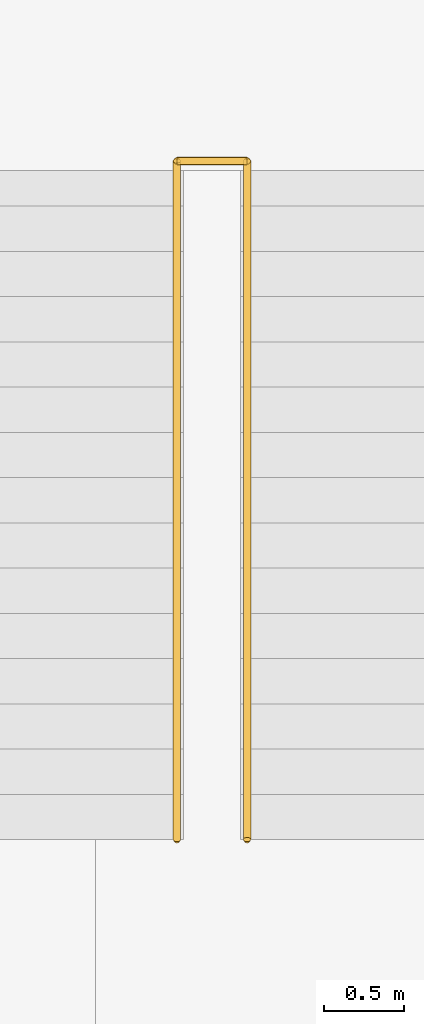
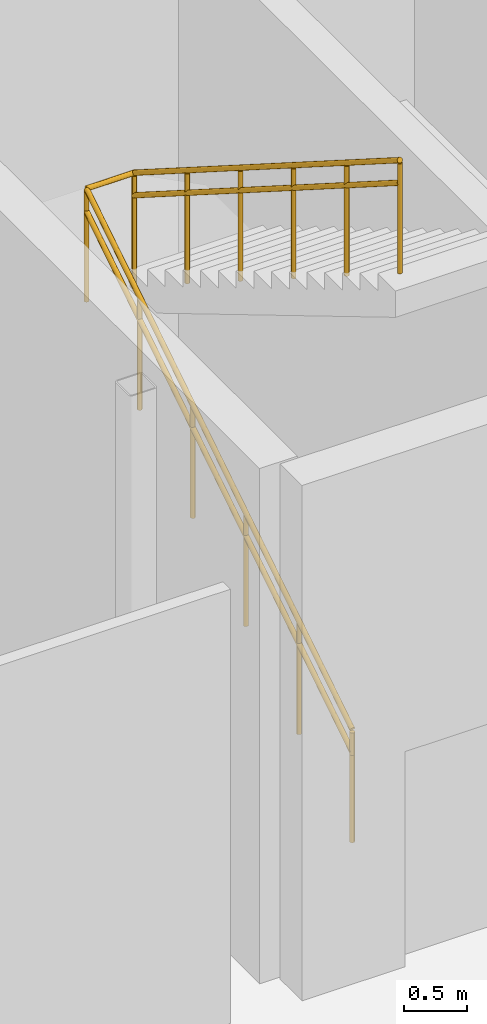
# One storey, part 32 of 33: 5 railings.
"""IFC4 building model written with IfcOpenShell, lengths in metres."""

from ifc_helpers import new_model, si_unit, direction, frame, origin, origin_2d, place, context, subcontext, project, spatial, circle, extrude, material, type_object, element, save


model = new_model("IFC4")

# Units and contexts
model_context = context("Model", 3, precision=1e-05, world=origin(), true_north=direction((0.0, 1.0)))
body_context = subcontext(model_context, "Body", "Model", "MODEL_VIEW")
ifc_project = project(units=[si_unit("LENGTHUNIT", "METRE"), si_unit("AREAUNIT", "SQUARE_METRE"), si_unit("VOLUMEUNIT", "CUBIC_METRE"), si_unit("PLANEANGLEUNIT", "RADIAN"), si_unit("MASSUNIT", "GRAM", prefix="KILO")], contexts=[model_context])

# Site, building, storey
site_placement = place(None, origin())
site = spatial("IfcSite", under=ifc_project, at=site_placement, CompositionType="ELEMENT")
building_placement = place(site_placement, origin())
building = spatial("IfcBuilding", under=site, at=building_placement, Name="Brisemont Oceanarium", CompositionType="ELEMENT")
storey_placement = place(building_placement, frame((0.0, 0.0, -5.39990234375)))
storey = spatial("IfcBuildingStorey", under=building, at=storey_placement, Name="B01", CompositionType="ELEMENT", Elevation=-5.39990234375)

# Railings
ifc_material_1 = material(Name="Duplex Stainless Steel EN 1.4462", Category="steel")
railing_type_1 = type_object("IfcRailingType", Name="RLG-GUARD-1120", PredefinedType="GUARDRAIL", material=ifc_material_1)
railing_1_placement = place(storey_placement, frame((97.909912109375, 71.85009765625, 0.0)))
element("IfcRailing", 1, at=railing_1_placement, inside=storey, type_object=railing_type_1, Name="ST-02 B01 F1 well guard", PredefinedType="GUARDRAIL", context=body_context, shape_type="SweptSolid", body=[
    extrude(circle(Radius=0.02392578125, at=origin_2d()), frame((0.0, 0.0, 1.09619140625), z_axis=(0.0, 0.84407452441, 0.536225882666), x_axis=(-1.0, 0.0, 0.0)), (0.0, 0.0, 1.0), 5.03515625),
    extrude(circle(Radius=0.02099609375, at=origin_2d()), origin(), (0.0, 0.0, 1.0), 1.072021484375),
    extrude(circle(Radius=0.02099609375, at=origin_2d()), frame((0.0, 0.85009765625, 0.5400390625)), (0.0, 0.0, 1.0), 1.072021484375),
    extrude(circle(Radius=0.02099609375, at=origin_2d()), frame((0.0, 1.699951171875, 1.080078125)), (0.0, 0.0, 1.0), 1.072021484375),
    extrude(circle(Radius=0.02099609375, at=origin_2d()), frame((0.0, 2.550048828125, 1.619873046875)), (0.0, 0.0, 1.0), 1.072021484375),
    extrude(circle(Radius=0.02099609375, at=origin_2d()), frame((0.0, 3.39990234375, 2.159912109375)), (0.0, 0.0, 1.0), 1.072021484375),
    extrude(circle(Radius=0.02099609375, at=origin_2d()), frame((0.0, 4.25, 2.699951171875)), (0.0, 0.0, 1.0), 1.072021484375),
])
railing_2_placement = place(storey_placement, frame((98.35009765625, 76.10009765625, 2.699951171875)))
element("IfcRailing", 2, at=railing_2_placement, inside=storey, type_object=railing_type_1, Name="ST-02 B01 F2 well guard", PredefinedType="GUARDRAIL", context=body_context, shape_type="SweptSolid", body=[
    extrude(circle(Radius=0.02392578125, at=origin_2d()), frame((0.0, 0.0, 1.09619140625), z_axis=(0.0, -0.84407452441, 0.536225882666), x_axis=(1.0, 0.0, 0.0)), (0.0, 0.0, 1.0), 5.03515625),
    extrude(circle(Radius=0.02099609375, at=origin_2d()), origin(), (0.0, 0.0, 1.0), 1.072021484375),
    extrude(circle(Radius=0.02099609375, at=origin_2d()), frame((0.0, -0.85009765625, 0.5400390625)), (0.0, 0.0, 1.0), 1.072021484375),
    extrude(circle(Radius=0.02099609375, at=origin_2d()), frame((0.0, -1.699951171875, 1.080078125)), (0.0, 0.0, 1.0), 1.072021484375),
    extrude(circle(Radius=0.02099609375, at=origin_2d()), frame((0.0, -2.550048828125, 1.619873046875)), (0.0, 0.0, 1.0), 1.072021484375),
    extrude(circle(Radius=0.02099609375, at=origin_2d()), frame((0.0, -3.39990234375, 2.159912109375)), (0.0, 0.0, 1.0), 1.072021484375),
    extrude(circle(Radius=0.02099609375, at=origin_2d()), frame((0.0, -4.25, 2.699951171875)), (0.0, 0.0, 1.0), 1.072021484375),
])
railing_3_placement = place(storey_placement, frame((97.909912109375, 76.10009765625, 2.699951171875)))
element("IfcRailing", 3, at=railing_3_placement, inside=storey, type_object=railing_type_1, Name="ST-02 B01 landing slot guard", PredefinedType="GUARDRAIL", context=body_context, shape_type="SweptSolid", body=[
    extrude(circle(Radius=0.02392578125, at=origin_2d()), frame((0.0, 0.0, 1.09619140625), z_axis=(1.0, 0.0, 0.0), x_axis=(0.0, 1.0, 0.0)), (0.0, 0.0, 1.0), 0.440185546875),
    extrude(circle(Radius=0.02099609375, at=origin_2d()), origin(), (0.0, 0.0, 1.0), 1.072021484375),
    extrude(circle(Radius=0.02099609375, at=origin_2d()), frame((0.440185546875, 0.0, 0.0)), (0.0, 0.0, 1.0), 1.072021484375),
])
ifc_material_2 = material(Name="Duplex Stainless Steel EN 1.4462", Category="steel")
railing_type_2 = type_object("IfcRailingType", Name="RLG-HAND-900", PredefinedType="HANDRAIL", material=ifc_material_2)
railing_4_placement = place(storey_placement, frame((97.909912109375, 71.85009765625, 0.0)))
element("IfcRailing", 4, at=railing_4_placement, inside=storey, type_object=railing_type_2, Name="ST-02 B01 F1 handrail", PredefinedType="HANDRAIL", context=body_context, shape_type="SweptSolid", body=[
    extrude(circle(Radius=0.02392578125, at=origin_2d()), frame((0.0, 0.0, 0.8759765625), z_axis=(0.0, 0.84407452441, 0.536225882666), x_axis=(-1.0, 0.0, 0.0)), (0.0, 0.0, 1.0), 5.03515625),
    extrude(circle(Radius=0.02099609375, at=origin_2d()), origin(), (0.0, 0.0, 1.0), 0.851806640625),
    extrude(circle(Radius=0.02099609375, at=origin_2d()), frame((0.0, 0.85009765625, 0.5400390625)), (0.0, 0.0, 1.0), 0.851806640625),
    extrude(circle(Radius=0.02099609375, at=origin_2d()), frame((0.0, 1.699951171875, 1.080078125)), (0.0, 0.0, 1.0), 0.851806640625),
    extrude(circle(Radius=0.02099609375, at=origin_2d()), frame((0.0, 2.550048828125, 1.619873046875)), (0.0, 0.0, 1.0), 0.851806640625),
    extrude(circle(Radius=0.02099609375, at=origin_2d()), frame((0.0, 3.39990234375, 2.159912109375)), (0.0, 0.0, 1.0), 0.851806640625),
    extrude(circle(Radius=0.02099609375, at=origin_2d()), frame((0.0, 4.25, 2.699951171875)), (0.0, 0.0, 1.0), 0.851806640625),
])
railing_5_placement = place(storey_placement, frame((98.35009765625, 76.10009765625, 2.699951171875)))
element("IfcRailing", 5, at=railing_5_placement, inside=storey, type_object=railing_type_2, Name="ST-02 B01 F2 handrail", PredefinedType="HANDRAIL", context=body_context, shape_type="SweptSolid", body=[
    extrude(circle(Radius=0.02392578125, at=origin_2d()), frame((0.0, 0.0, 0.8759765625), z_axis=(0.0, -0.84407452441, 0.536225882666), x_axis=(1.0, 0.0, 0.0)), (0.0, 0.0, 1.0), 5.03515625),
    extrude(circle(Radius=0.02099609375, at=origin_2d()), origin(), (0.0, 0.0, 1.0), 0.851806640625),
    extrude(circle(Radius=0.02099609375, at=origin_2d()), frame((0.0, -0.85009765625, 0.5400390625)), (0.0, 0.0, 1.0), 0.851806640625),
    extrude(circle(Radius=0.02099609375, at=origin_2d()), frame((0.0, -1.699951171875, 1.080078125)), (0.0, 0.0, 1.0), 0.851806640625),
    extrude(circle(Radius=0.02099609375, at=origin_2d()), frame((0.0, -2.550048828125, 1.619873046875)), (0.0, 0.0, 1.0), 0.851806640625),
    extrude(circle(Radius=0.02099609375, at=origin_2d()), frame((0.0, -3.39990234375, 2.159912109375)), (0.0, 0.0, 1.0), 0.851806640625),
    extrude(circle(Radius=0.02099609375, at=origin_2d()), frame((0.0, -4.25, 2.699951171875)), (0.0, 0.0, 1.0), 0.851806640625),
])

save(model, "model.ifc")
